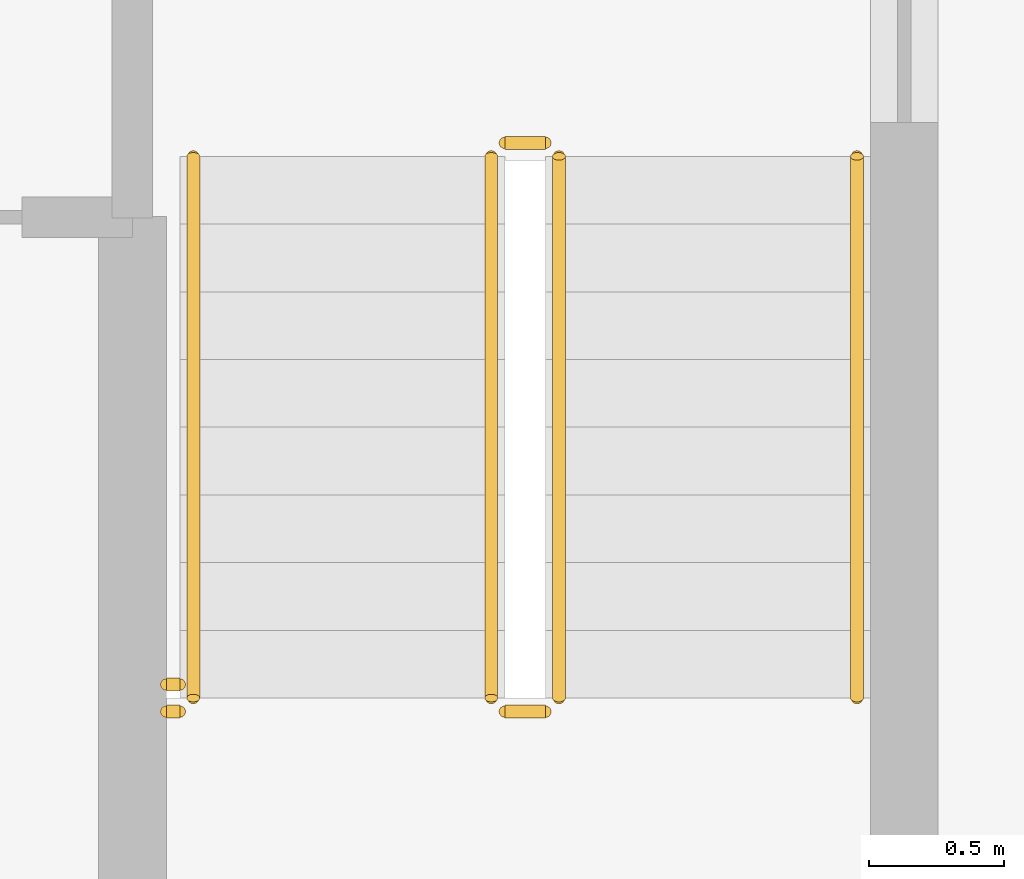
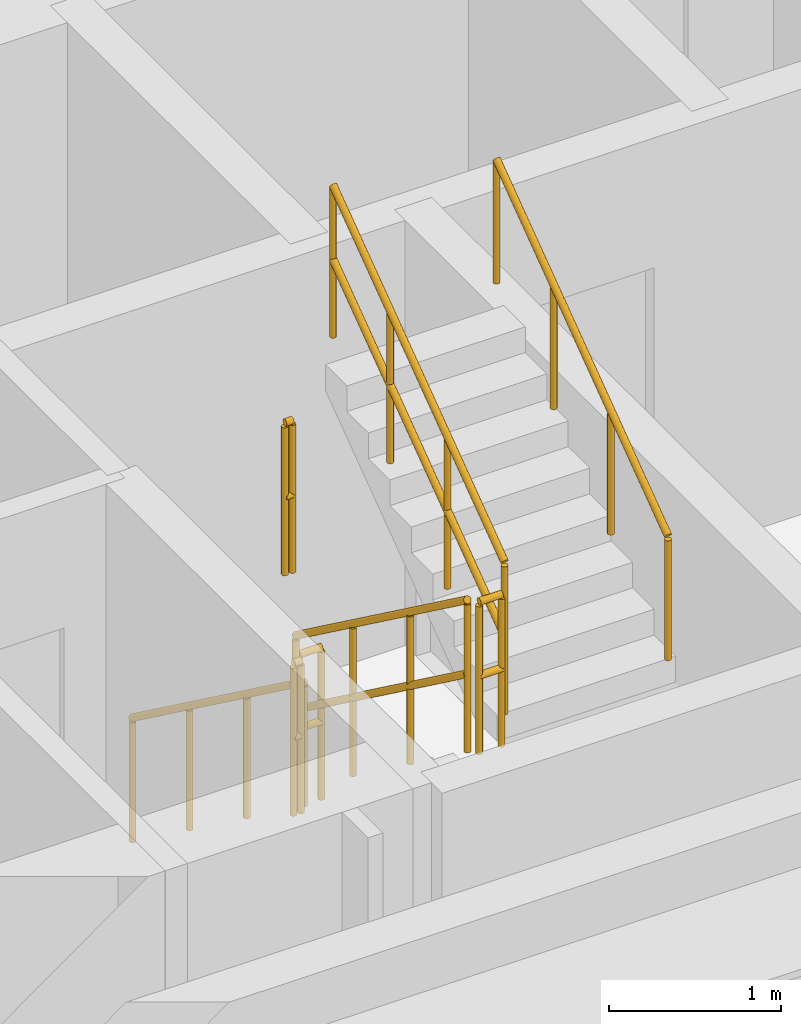
# One storey, part 15 of 18: 8 railings.
"""IFC4 building model written with IfcOpenShell, lengths in metres."""

from ifc_helpers import new_model, si_unit, direction, frame, origin, origin_2d, place, context, subcontext, project, spatial, circle, extrude, material, type_object, element, save


model = new_model("IFC4")

# Units and contexts
model_context = context("Model", 3, precision=1e-05, world=origin(), true_north=direction((0.0, 1.0)))
body_context = subcontext(model_context, "Body", "Model", "MODEL_VIEW")
ifc_project = project(units=[si_unit("LENGTHUNIT", "METRE"), si_unit("AREAUNIT", "SQUARE_METRE"), si_unit("VOLUMEUNIT", "CUBIC_METRE"), si_unit("PLANEANGLEUNIT", "RADIAN"), si_unit("MASSUNIT", "GRAM", prefix="KILO")], contexts=[model_context])

# Site, building, storey
site_placement = place(None, origin())
site = spatial("IfcSite", under=ifc_project, at=site_placement, CompositionType="ELEMENT")
building_placement = place(site_placement, origin())
building = spatial("IfcBuilding", under=site, at=building_placement, Name="Nakaniwa Court", CompositionType="ELEMENT")
storey_placement = place(building_placement, frame((0.0, 0.0, 180.0)))
storey = spatial("IfcBuildingStorey", under=building, at=storey_placement, Name="L46", CompositionType="ELEMENT", Elevation=180.0)

# Railings
ifc_material_1 = material(Name="Black powder coated steel guard", Category="steel")
railing_type_1 = type_object("IfcRailingType", Name="Stair guard 1100", PredefinedType="GUARDRAIL", material=ifc_material_1)
railing_1_placement = place(storey_placement, frame((81.875, 61.824951171875, 0.183349609375)))
element("IfcRailing", 1, at=railing_1_placement, inside=storey, type_object=railing_type_1, Name="L46 ST4 stair guard 1", PredefinedType="GUARDRAIL", context=body_context, shape_type="SweptSolid", body=[
    extrude(circle(Radius=0.02392578125, at=origin_2d()), frame((0.0, 0.0, 1.076171875), z_axis=(0.0, -0.806426902644, 0.591333789573), x_axis=(1.0, 0.0, 0.0)), (0.0, 0.0, 1.0), 2.47998046875),
    extrude(circle(Radius=0.02392578125, at=origin_2d()), frame((0.0, 0.0, 0.550048828125), z_axis=(0.0, -0.806426902644, 0.591333789573), x_axis=(1.0, 0.0, 0.0)), (0.0, 0.0, 1.0), 2.47998046875),
    extrude(circle(Radius=0.02099609375, at=origin_2d()), origin(), (0.0, 0.0, 1.0), 1.052001953125),
    extrude(circle(Radius=0.02099609375, at=origin_2d()), frame((0.0, -0.666748046875, 0.48876953125)), (0.0, 0.0, 1.0), 1.052001953125),
    extrude(circle(Radius=0.02099609375, at=origin_2d()), frame((0.0, -1.333251953125, 0.977783203125)), (0.0, 0.0, 1.0), 1.052001953125),
    extrude(circle(Radius=0.02099609375, at=origin_2d()), frame((0.0, -2.0, 1.466552734375)), (0.0, 0.0, 1.0), 1.052001953125),
])
railing_2_placement = place(storey_placement, frame((81.925048828125, 59.77490234375, 1.64990234375)))
element("IfcRailing", 2, at=railing_2_placement, inside=storey, type_object=railing_type_1, Name="L46 ST4 stair guard 2", PredefinedType="GUARDRAIL", context=body_context, shape_type="SweptSolid", body=[
    extrude(circle(Radius=0.02392578125, at=origin_2d()), frame((0.0, 0.0, 1.076171875), z_axis=(1.0, 0.0, 0.0), x_axis=(0.0, 1.0, 0.0)), (0.0, 0.0, 1.0), 0.14990234375),
    extrude(circle(Radius=0.02392578125, at=origin_2d()), frame((0.0, 0.0, 0.550048828125), z_axis=(1.0, 0.0, 0.0), x_axis=(0.0, 1.0, 0.0)), (0.0, 0.0, 1.0), 0.14990234375),
    extrude(circle(Radius=0.02099609375, at=origin_2d()), origin(), (0.0, 0.0, 1.0), 1.052001953125),
    extrude(circle(Radius=0.02099609375, at=origin_2d()), frame((0.14990234375, 0.0, 0.0)), (0.0, 0.0, 1.0), 1.052001953125),
])
railing_3_placement = place(storey_placement, frame((82.125, 59.824951171875, 1.833251953125)))
element("IfcRailing", 3, at=railing_3_placement, inside=storey, type_object=railing_type_1, Name="L46 ST4 stair guard 3", PredefinedType="GUARDRAIL", context=body_context, shape_type="SweptSolid", body=[
    extrude(circle(Radius=0.02392578125, at=origin_2d()), frame((0.0, 0.0, 1.076171875), z_axis=(0.0, 0.806379959628, 0.591397802423), x_axis=(-1.0, 0.0, 0.0)), (0.0, 0.0, 1.0), 2.480224609375),
    extrude(circle(Radius=0.02392578125, at=origin_2d()), frame((0.0, 0.0, 0.550048828125), z_axis=(0.0, 0.806379959628, 0.591397802423), x_axis=(-1.0, 0.0, 0.0)), (0.0, 0.0, 1.0), 2.480224609375),
    extrude(circle(Radius=0.02099609375, at=origin_2d()), origin(), (0.0, 0.0, 1.0), 1.052001953125),
    extrude(circle(Radius=0.02099609375, at=origin_2d()), frame((0.0, 0.666748046875, 0.489013671875)), (0.0, 0.0, 1.0), 1.052001953125),
    extrude(circle(Radius=0.02099609375, at=origin_2d()), frame((0.0, 1.333251953125, 0.977783203125)), (0.0, 0.0, 1.0), 1.052001953125),
    extrude(circle(Radius=0.02099609375, at=origin_2d()), frame((0.0, 2.0, 1.466796875)), (0.0, 0.0, 1.0), 1.052001953125),
])
railing_4_placement = place(storey_placement, frame((81.925048828125, 61.875, 0.0)))
element("IfcRailing", 4, at=railing_4_placement, inside=storey, type_object=railing_type_1, Name="L46 ST4 stair guard 4", PredefinedType="GUARDRAIL", context=body_context, shape_type="SweptSolid", body=[
    extrude(circle(Radius=0.02392578125, at=origin_2d()), frame((0.0, 0.0, 1.076171875), z_axis=(1.0, 0.0, 0.0), x_axis=(0.0, 1.0, 0.0)), (0.0, 0.0, 1.0), 0.14990234375),
    extrude(circle(Radius=0.02392578125, at=origin_2d()), frame((0.0, 0.0, 0.550048828125), z_axis=(1.0, 0.0, 0.0), x_axis=(0.0, 1.0, 0.0)), (0.0, 0.0, 1.0), 0.14990234375),
    extrude(circle(Radius=0.02099609375, at=origin_2d()), origin(), (0.0, 0.0, 1.0), 1.052001953125),
    extrude(circle(Radius=0.02099609375, at=origin_2d()), frame((0.14990234375, 0.0, 0.0)), (0.0, 0.0, 1.0), 1.052001953125),
])
for number, where, name in (
    (5, (80.675048828125, 59.77490234375, 1.64990234375), "L46 ST4 landing side guard 1W"),
    (6, (80.675048828125, 59.875, 3.300048828125), "L46 ST4 floor edge guard 1W"),
):
    element("IfcRailing", number, at=place(storey_placement, frame(where)), inside=storey, type_object=railing_type_1, Name=name, PredefinedType="GUARDRAIL", context=body_context, shape_type="SweptSolid", body=[
        extrude(circle(Radius=0.02392578125, at=origin_2d()), frame((0.0, 0.0, 1.076171875), z_axis=(1.0, 0.0, 0.0), x_axis=(0.0, 1.0, 0.0)), (0.0, 0.0, 1.0), 0.050048828125),
        extrude(circle(Radius=0.02392578125, at=origin_2d()), frame((0.0, 0.0, 0.550048828125), z_axis=(1.0, 0.0, 0.0), x_axis=(0.0, 1.0, 0.0)), (0.0, 0.0, 1.0), 0.050048828125),
        extrude(circle(Radius=0.02099609375, at=origin_2d()), origin(), (0.0, 0.0, 1.0), 1.052001953125),
        extrude(circle(Radius=0.02099609375, at=origin_2d()), frame((0.050048828125, 0.0, 0.0)), (0.0, 0.0, 1.0), 1.052001953125),
    ])
ifc_material_2 = material(Name="Black powder coated steel handrail", Category="steel")
railing_type_2 = type_object("IfcRailingType", Name="Stair handrail 900", PredefinedType="HANDRAIL", material=ifc_material_2)
railing_5_placement = place(storey_placement, frame((80.77490234375, 61.824951171875, 0.183349609375)))
element("IfcRailing", 7, at=railing_5_placement, inside=storey, type_object=railing_type_2, Name="L46 ST4 stair handrail 1", PredefinedType="HANDRAIL", context=body_context, shape_type="SweptSolid", body=[
    extrude(circle(Radius=0.02392578125, at=origin_2d()), frame((0.0, 0.0, 0.8759765625), z_axis=(0.0, -0.806426902644, 0.591333789573), x_axis=(1.0, 0.0, 0.0)), (0.0, 0.0, 1.0), 2.47998046875),
    extrude(circle(Radius=0.02099609375, at=origin_2d()), origin(), (0.0, 0.0, 1.0), 0.851806640625),
    extrude(circle(Radius=0.02099609375, at=origin_2d()), frame((0.0, -0.666748046875, 0.48876953125)), (0.0, 0.0, 1.0), 0.851806640625),
    extrude(circle(Radius=0.02099609375, at=origin_2d()), frame((0.0, -1.333251953125, 0.977783203125)), (0.0, 0.0, 1.0), 0.851806640625),
    extrude(circle(Radius=0.02099609375, at=origin_2d()), frame((0.0, -2.0, 1.466552734375)), (0.0, 0.0, 1.0), 0.851806640625),
])
railing_6_placement = place(storey_placement, frame((83.22509765625, 59.824951171875, 1.833251953125)))
element("IfcRailing", 8, at=railing_6_placement, inside=storey, type_object=railing_type_2, Name="L46 ST4 stair handrail 2", PredefinedType="HANDRAIL", context=body_context, shape_type="SweptSolid", body=[
    extrude(circle(Radius=0.02392578125, at=origin_2d()), frame((0.0, 0.0, 0.8759765625), z_axis=(0.0, 0.806379959628, 0.591397802423), x_axis=(-1.0, 0.0, 0.0)), (0.0, 0.0, 1.0), 2.480224609375),
    extrude(circle(Radius=0.02099609375, at=origin_2d()), origin(), (0.0, 0.0, 1.0), 0.851806640625),
    extrude(circle(Radius=0.02099609375, at=origin_2d()), frame((0.0, 0.666748046875, 0.489013671875)), (0.0, 0.0, 1.0), 0.851806640625),
    extrude(circle(Radius=0.02099609375, at=origin_2d()), frame((0.0, 1.333251953125, 0.977783203125)), (0.0, 0.0, 1.0), 0.851806640625),
    extrude(circle(Radius=0.02099609375, at=origin_2d()), frame((0.0, 2.0, 1.466796875)), (0.0, 0.0, 1.0), 0.851806640625),
])

save(model, "model.ifc")
